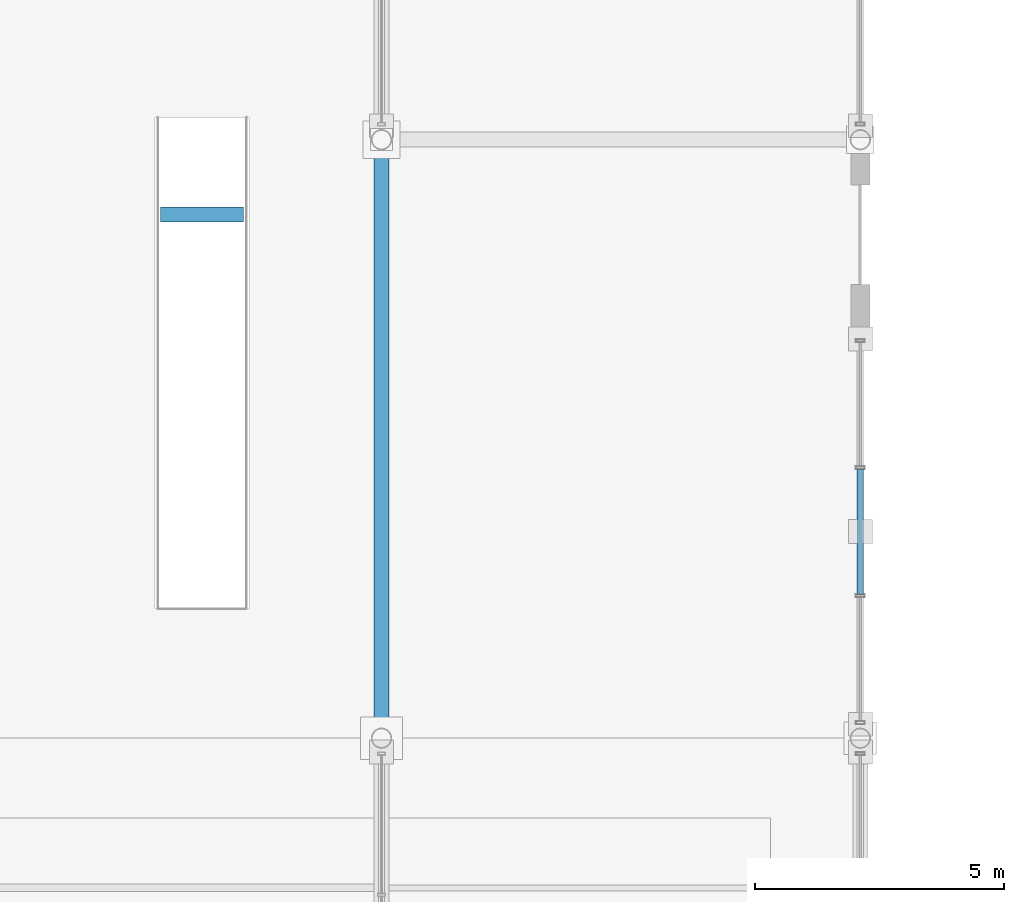
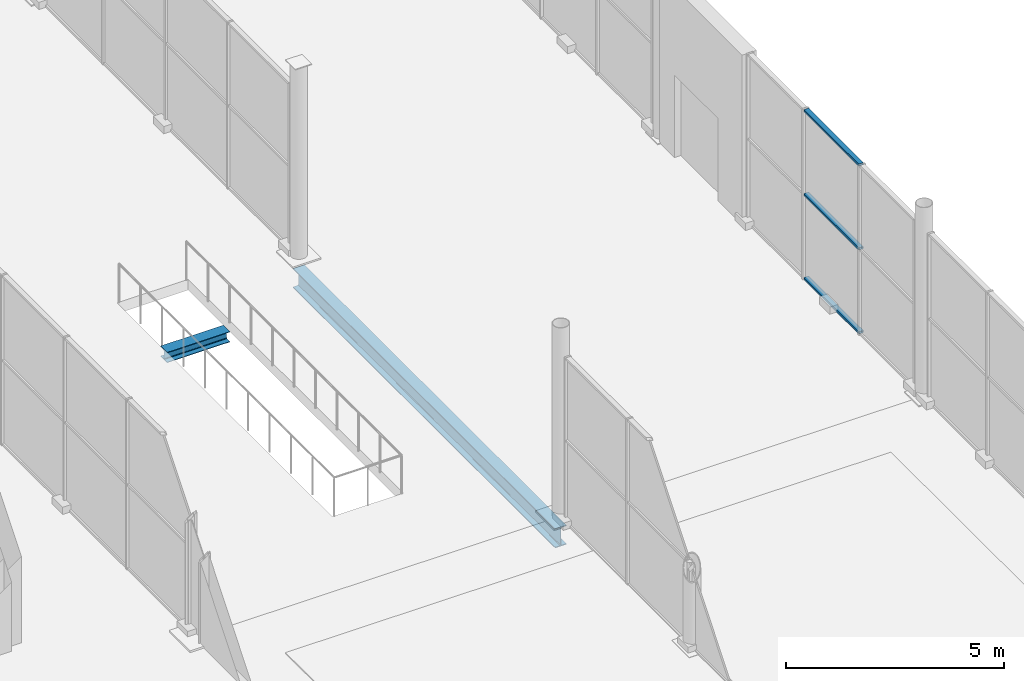
# One storey, part 81 of 196: 3 members, 2 beams, 1 element without a shape of its own.
"""IFC4 building model written with IfcOpenShell, lengths in metres."""

from ifc_helpers import new_model, si_unit, direction, frame, origin, origin_2d, place, context, subcontext, project, spatial, hollow_rectangle, i_section, extrude, material, material_profile, profile_set, type_object, element, aggregate, save


model = new_model("IFC4")

# Units and contexts
model_context = context("Model", 3, precision=1e-05, world=origin(), true_north=direction((0.0, 1.0)))
body_context = subcontext(model_context, "Body", "Model", "MODEL_VIEW")
ifc_project = project(units=[si_unit("LENGTHUNIT", "METRE"), si_unit("AREAUNIT", "SQUARE_METRE"), si_unit("VOLUMEUNIT", "CUBIC_METRE"), si_unit("PLANEANGLEUNIT", "RADIAN"), si_unit("MASSUNIT", "GRAM", prefix="KILO")], contexts=[model_context])

# Site, building, storey
site_placement = place(None, origin())
site = spatial("IfcSite", under=ifc_project, at=site_placement, CompositionType="ELEMENT")
building_placement = place(site_placement, origin())
building = spatial("IfcBuilding", under=site, at=building_placement, Name="Merenkruunu Market Hall", CompositionType="ELEMENT")
storey_placement = place(building_placement, origin())
storey = spatial("IfcBuildingStorey", under=building, at=storey_placement, Name="L00", CompositionType="ELEMENT", Elevation=0.0)

# Curtain wall, members
ifc_material_1 = material(Name="Powder-coated aluminium", Category="aluminium")
curtain_wall_type = type_object("IfcCurtainWallType", Name="Glazed Curtain Wall CW12", PredefinedType="USERDEFINED", material=ifc_material_1)
curtain_wall_placement = place(storey_placement, origin())
curtain_wall = element("IfcCurtainWall", 1, at=curtain_wall_placement, inside=storey, type_object=curtain_wall_type, Name="CW-L00-CWM02-159", ObjectType="GLAZED_FACADE", PredefinedType="USERDEFINED")
ifc_material_profile_1 = material_profile(ifc_material_1, hollow_rectangle(XDim=0.06005859375, YDim=0.125, WallThickness=0.00390625, at=origin_2d()), Name="ALU 60x125x4")
ifc_profile_set_1 = profile_set([ifc_material_profile_1], Name="Powder-coated aluminium")
member_type = type_object("IfcMemberType", Name="Curtain Wall Transom CWT01", PredefinedType="USERDEFINED", material=ifc_profile_set_1)
member_1_placement = place(storey_placement, frame((76.800048828125, 56.99658203125, 0.030029296875), z_axis=(0.0, -1.0, 0.0), x_axis=(0.0, 0.0, 1.0)))
member_1 = element("IfcMember", 2, at=member_1_placement, type_object=member_type, Name="CW12 transom 2.1", ObjectType="TRANSOM", PredefinedType="USERDEFINED", context=body_context, shape_type="SweptSolid", body=[
    extrude(hollow_rectangle(XDim=0.06005859375, YDim=0.125, WallThickness=0.00390625, at=origin_2d()), origin(), (0.0, 0.0, 1.0), 2.51318359375),
])
member_2_placement = place(storey_placement, frame((76.800048828125, 56.99658203125, 2.375), z_axis=(0.0, -1.0, 0.0), x_axis=(0.0, 0.0, 1.0)))
member_2 = element("IfcMember", 3, at=member_2_placement, type_object=member_type, Name="CW12 transom 2.2", ObjectType="TRANSOM", PredefinedType="USERDEFINED", context=body_context, shape_type="SweptSolid", body=[
    extrude(hollow_rectangle(XDim=0.06005859375, YDim=0.125, WallThickness=0.00390625, at=origin_2d()), origin(), (0.0, 0.0, 1.0), 2.51318359375),
])
member_3_placement = place(storey_placement, frame((76.800048828125, 56.99658203125, 4.719970703125), z_axis=(0.0, -1.0, 0.0), x_axis=(0.0, 0.0, 1.0)))
member_3 = element("IfcMember", 4, at=member_3_placement, type_object=member_type, Name="CW12 transom 2.3", ObjectType="TRANSOM", PredefinedType="USERDEFINED", context=body_context, shape_type="SweptSolid", body=[
    extrude(hollow_rectangle(XDim=0.06005859375, YDim=0.125, WallThickness=0.00390625, at=origin_2d()), origin(), (0.0, 0.0, 1.0), 2.51318359375),
])
aggregate(curtain_wall, [member_1, member_2, member_3])

# Beams
ifc_material_2 = material(Name="Steel S355J2", Category="steel")
ifc_material_profile_2 = material_profile(ifc_material_2, i_section(OverallWidth=0.300048828125, OverallDepth=0.5400390625, WebThickness=0.012451171875, FlangeThickness=0.02392578125, FilletRadius=0.027099609375, at=origin_2d()), Name="HEA 550")
ifc_profile_set_2 = profile_set([ifc_material_profile_2], Name="Steel S355J2")
beam_type_1 = type_object("IfcBeamType", Name="Primary Floor Girder B06", PredefinedType="BEAM", material=ifc_profile_set_2)
beam_1_placement = place(storey_placement, frame((67.199951171875, 51.60009765625, -0.570068359375), z_axis=(0.0, 1.0, 0.0), x_axis=(-1.0, 0.0, 0.0)))
element("IfcBeam", 5, at=beam_1_placement, inside=storey, type_object=beam_type_1, Name="BM-L00-B06-0198", PredefinedType="BEAM", context=body_context, shape_type="SweptSolid", body=[
    extrude(i_section(OverallWidth=0.300048828125, OverallDepth=0.5400390625, WebThickness=0.012451171875, FlangeThickness=0.02392578125, FilletRadius=0.027099609375, at=origin_2d()), origin(), (0.0, 0.0, 1.0), 12.0),
])
ifc_material_profile_3 = material_profile(ifc_material_2, i_section(OverallWidth=0.300048828125, OverallDepth=0.2900390625, WebThickness=0.008544921875, FlangeThickness=0.013916015625, FilletRadius=0.027099609375, at=origin_2d()), Name="HEA 300")
ifc_profile_set_3 = profile_set([ifc_material_profile_3], Name="Steel S355J2")
beam_type_2 = type_object("IfcBeamType", Name="Primary Floor Girder B09", PredefinedType="BEAM", material=ifc_profile_set_3)
beam_2_placement = place(storey_placement, frame((62.77001953125, 62.10009765625, -0.294921875), z_axis=(1.0, 0.0, 0.0), x_axis=(0.0, 1.0, 0.0)))
element("IfcBeam", 6, at=beam_2_placement, inside=storey, type_object=beam_type_2, Name="BM-FST-TRIM-1", PredefinedType="BEAM", context=body_context, shape_type="SweptSolid", body=[
    extrude(i_section(OverallWidth=0.300048828125, OverallDepth=0.2900390625, WebThickness=0.008544921875, FlangeThickness=0.013916015625, FilletRadius=0.027099609375, at=origin_2d()), origin(), (0.0, 0.0, 1.0), 1.659912109375),
])

save(model, "model.ifc")
